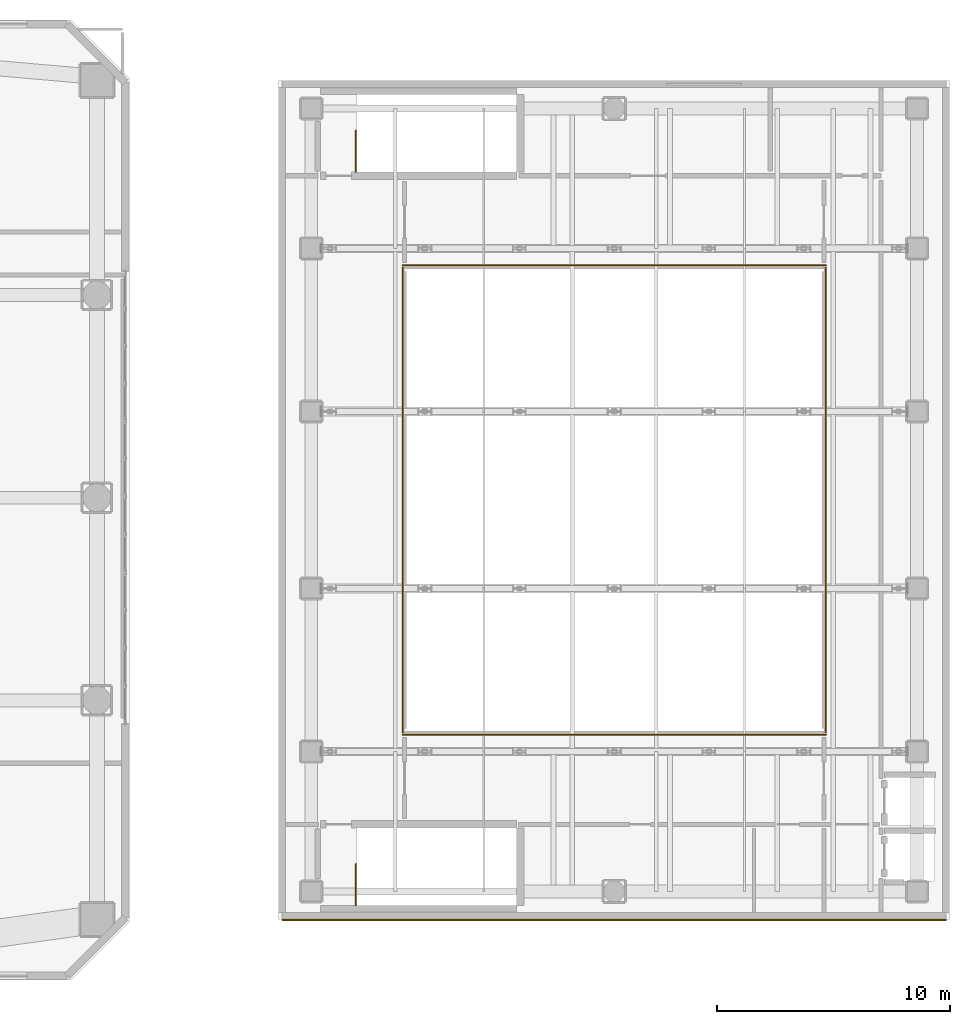
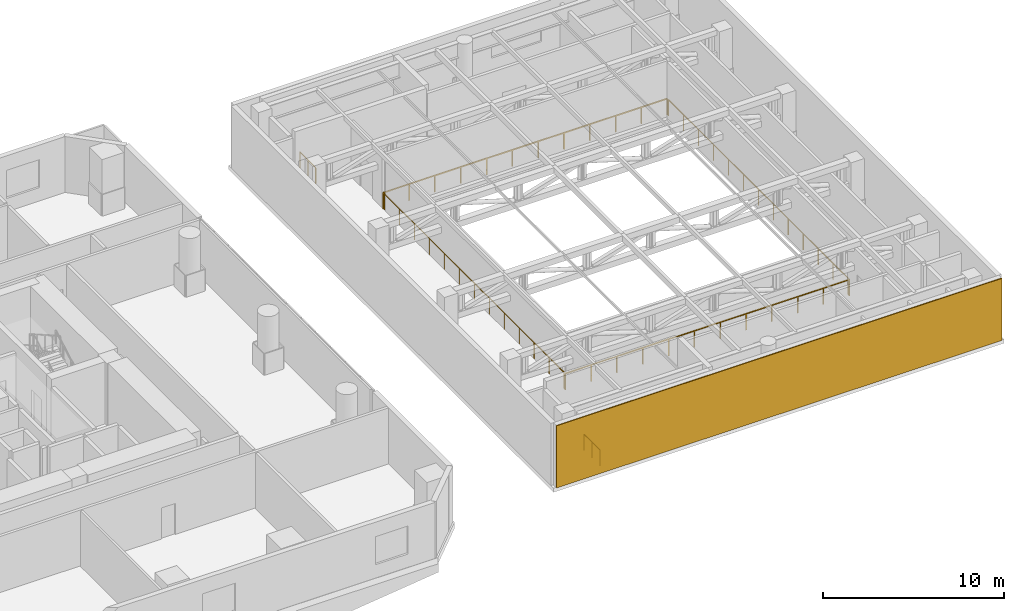
# One storey, part 25 of 25: 6 railings, 1 covering.
"""IFC4 building model written with IfcOpenShell, lengths in metres."""

from ifc_helpers import new_model, si_unit, direction, frame, frame_2d, origin, origin_2d, place, context, subcontext, project, spatial, rectangle, extrude, material, layer, layer_set, type_object, element, save


model = new_model("IFC4")

# Units and contexts
model_context = context("Model", 3, precision=1e-05, world=origin(), true_north=direction((0.0, 1.0)))
body_context = subcontext(model_context, "Body", "Model", "MODEL_VIEW")
ifc_project = project(units=[si_unit("LENGTHUNIT", "METRE"), si_unit("AREAUNIT", "SQUARE_METRE"), si_unit("VOLUMEUNIT", "CUBIC_METRE"), si_unit("PLANEANGLEUNIT", "RADIAN"), si_unit("MASSUNIT", "GRAM", prefix="KILO")], contexts=[model_context])

# Site, building, storey
site_placement = place(None, origin())
site = spatial("IfcSite", under=ifc_project, at=site_placement, CompositionType="ELEMENT")
building_placement = place(site_placement, origin())
building = spatial("IfcBuilding", under=site, at=building_placement, Name="Solanera Arch Residences", CompositionType="ELEMENT")
storey_placement = place(building_placement, frame((0.0, 0.0, 17.800048828125)))
storey = spatial("IfcBuildingStorey", under=building, at=storey_placement, Name="L04", CompositionType="ELEMENT", Elevation=17.800048828125)

# Railings
ifc_material_1 = material(Name="Steel S355 (ASTM A992 / A572 Grade 50)", Category="steel")
railing_type_1 = type_object("IfcRailingType", Name="Balustrade Railing BL-1100", PredefinedType="BALUSTRADE", material=ifc_material_1)
railing_1_placement = place(storey_placement, frame((59.719970703125, 20.52001953125, 0.0)))
element("IfcRailing", 1, at=railing_1_placement, inside=storey, type_object=railing_type_1, Name="L04 Sports Hall Court Void Guardrail S 1", PredefinedType="BALUSTRADE", context=body_context, shape_type="SweptSolid", body=[
    extrude(rectangle(XDim=0.048095703125, YDim=0.048095703125, at=origin_2d()), frame((0.0, 0.0, 1.09619140625), z_axis=(1.0, 0.0, 0.0), x_axis=(0.0, 1.0, 0.0)), (0.0, 0.0, 1.0), 18.159912109375),
    extrude(rectangle(XDim=0.0419921875, YDim=0.0419921875, at=origin_2d()), origin(), (0.0, 0.0, 1.0), 1.072021484375),
    extrude(rectangle(XDim=0.0419921875, YDim=0.0419921875, at=origin_2d()), frame((1.65087890625, 0.0, 0.0)), (0.0, 0.0, 1.0), 1.072021484375),
    extrude(rectangle(XDim=0.0419921875, YDim=0.0419921875, at=origin_2d()), frame((3.3017578125, 0.0, 0.0)), (0.0, 0.0, 1.0), 1.072021484375),
    extrude(rectangle(XDim=0.0419921875, YDim=0.0419921875, at=origin_2d()), frame((4.95263671875, 0.0, 0.0)), (0.0, 0.0, 1.0), 1.072021484375),
    extrude(rectangle(XDim=0.0419921875, YDim=0.0419921875, at=origin_2d()), frame((6.603515625, 0.0, 0.0)), (0.0, 0.0, 1.0), 1.072021484375),
    extrude(rectangle(XDim=0.0419921875, YDim=0.0419921875, at=origin_2d()), frame((8.25439453125, 0.0, 0.0)), (0.0, 0.0, 1.0), 1.072021484375),
    extrude(rectangle(XDim=0.0419921875, YDim=0.0419921875, at=origin_2d()), frame((9.905517578125, 0.0, 0.0)), (0.0, 0.0, 1.0), 1.072021484375),
    extrude(rectangle(XDim=0.0419921875, YDim=0.0419921875, at=origin_2d()), frame((11.556396484375, 0.0, 0.0)), (0.0, 0.0, 1.0), 1.072021484375),
    extrude(rectangle(XDim=0.0419921875, YDim=0.0419921875, at=origin_2d()), frame((13.207275390625, 0.0, 0.0)), (0.0, 0.0, 1.0), 1.072021484375),
    extrude(rectangle(XDim=0.0419921875, YDim=0.0419921875, at=origin_2d()), frame((14.858154296875, 0.0, 0.0)), (0.0, 0.0, 1.0), 1.072021484375),
    extrude(rectangle(XDim=0.0419921875, YDim=0.0419921875, at=origin_2d()), frame((16.509033203125, 0.0, 0.0)), (0.0, 0.0, 1.0), 1.072021484375),
    extrude(rectangle(XDim=0.0419921875, YDim=0.0419921875, at=origin_2d()), frame((18.159912109375, 0.0, 0.0)), (0.0, 0.0, 1.0), 1.072021484375),
])
railing_2_placement = place(storey_placement, frame((77.8798828125, 20.639892578125, 0.0)))
element("IfcRailing", 2, at=railing_2_placement, inside=storey, type_object=railing_type_1, Name="L04 Sports Hall Court Void Guardrail E 1", PredefinedType="BALUSTRADE", context=body_context, shape_type="SweptSolid", body=[
    extrude(rectangle(XDim=0.048095703125, YDim=0.048095703125, at=origin_2d()), frame((0.0, 0.0, 1.09619140625), z_axis=(0.0, 1.0, 0.0), x_axis=(-1.0, 0.0, 0.0)), (0.0, 0.0, 1.0), 19.920166015625),
    extrude(rectangle(XDim=0.0419921875, YDim=0.0419921875, at=origin_2d()), origin(), (0.0, 0.0, 1.0), 1.072021484375),
    extrude(rectangle(XDim=0.0419921875, YDim=0.0419921875, at=origin_2d()), frame((0.0, 1.659912109375, 0.0)), (0.0, 0.0, 1.0), 1.072021484375),
    extrude(rectangle(XDim=0.0419921875, YDim=0.0419921875, at=origin_2d()), frame((0.0, 3.320068359375, 0.0)), (0.0, 0.0, 1.0), 1.072021484375),
    extrude(rectangle(XDim=0.0419921875, YDim=0.0419921875, at=origin_2d()), frame((0.0, 4.97998046875, 0.0)), (0.0, 0.0, 1.0), 1.072021484375),
    extrude(rectangle(XDim=0.0419921875, YDim=0.0419921875, at=origin_2d()), frame((0.0, 6.64013671875, 0.0)), (0.0, 0.0, 1.0), 1.072021484375),
    extrude(rectangle(XDim=0.0419921875, YDim=0.0419921875, at=origin_2d()), frame((0.0, 8.300048828125, 0.0)), (0.0, 0.0, 1.0), 1.072021484375),
    extrude(rectangle(XDim=0.0419921875, YDim=0.0419921875, at=origin_2d()), frame((0.0, 9.9599609375, 0.0)), (0.0, 0.0, 1.0), 1.072021484375),
    extrude(rectangle(XDim=0.0419921875, YDim=0.0419921875, at=origin_2d()), frame((0.0, 11.6201171875, 0.0)), (0.0, 0.0, 1.0), 1.072021484375),
    extrude(rectangle(XDim=0.0419921875, YDim=0.0419921875, at=origin_2d()), frame((0.0, 13.280029296875, 0.0)), (0.0, 0.0, 1.0), 1.072021484375),
    extrude(rectangle(XDim=0.0419921875, YDim=0.0419921875, at=origin_2d()), frame((0.0, 14.940185546875, 0.0)), (0.0, 0.0, 1.0), 1.072021484375),
    extrude(rectangle(XDim=0.0419921875, YDim=0.0419921875, at=origin_2d()), frame((0.0, 16.60009765625, 0.0)), (0.0, 0.0, 1.0), 1.072021484375),
    extrude(rectangle(XDim=0.0419921875, YDim=0.0419921875, at=origin_2d()), frame((0.0, 18.26025390625, 0.0)), (0.0, 0.0, 1.0), 1.072021484375),
    extrude(rectangle(XDim=0.0419921875, YDim=0.0419921875, at=origin_2d()), frame((0.0, 19.920166015625, 0.0)), (0.0, 0.0, 1.0), 1.072021484375),
])
railing_3_placement = place(storey_placement, frame((77.8798828125, 40.679931640625, 0.0)))
element("IfcRailing", 3, at=railing_3_placement, inside=storey, type_object=railing_type_1, Name="L04 Sports Hall Court Void Guardrail N 1", PredefinedType="BALUSTRADE", context=body_context, shape_type="SweptSolid", body=[
    extrude(rectangle(XDim=0.048095703125, YDim=0.048095703125, at=origin_2d()), frame((0.0, 0.0, 1.09619140625), z_axis=(-1.0, 0.0, 0.0), x_axis=(0.0, -1.0, 0.0)), (0.0, 0.0, 1.0), 18.159912109375),
    extrude(rectangle(XDim=0.0419921875, YDim=0.0419921875, at=origin_2d()), origin(), (0.0, 0.0, 1.0), 1.072021484375),
    extrude(rectangle(XDim=0.0419921875, YDim=0.0419921875, at=origin_2d()), frame((-1.65087890625, 0.0, 0.0)), (0.0, 0.0, 1.0), 1.072021484375),
    extrude(rectangle(XDim=0.0419921875, YDim=0.0419921875, at=origin_2d()), frame((-3.3017578125, 0.0, 0.0)), (0.0, 0.0, 1.0), 1.072021484375),
    extrude(rectangle(XDim=0.0419921875, YDim=0.0419921875, at=origin_2d()), frame((-4.95263671875, 0.0, 0.0)), (0.0, 0.0, 1.0), 1.072021484375),
    extrude(rectangle(XDim=0.0419921875, YDim=0.0419921875, at=origin_2d()), frame((-6.603515625, 0.0, 0.0)), (0.0, 0.0, 1.0), 1.072021484375),
    extrude(rectangle(XDim=0.0419921875, YDim=0.0419921875, at=origin_2d()), frame((-8.25439453125, 0.0, 0.0)), (0.0, 0.0, 1.0), 1.072021484375),
    extrude(rectangle(XDim=0.0419921875, YDim=0.0419921875, at=origin_2d()), frame((-9.905517578125, 0.0, 0.0)), (0.0, 0.0, 1.0), 1.072021484375),
    extrude(rectangle(XDim=0.0419921875, YDim=0.0419921875, at=origin_2d()), frame((-11.556396484375, 0.0, 0.0)), (0.0, 0.0, 1.0), 1.072021484375),
    extrude(rectangle(XDim=0.0419921875, YDim=0.0419921875, at=origin_2d()), frame((-13.207275390625, 0.0, 0.0)), (0.0, 0.0, 1.0), 1.072021484375),
    extrude(rectangle(XDim=0.0419921875, YDim=0.0419921875, at=origin_2d()), frame((-14.858154296875, 0.0, 0.0)), (0.0, 0.0, 1.0), 1.072021484375),
    extrude(rectangle(XDim=0.0419921875, YDim=0.0419921875, at=origin_2d()), frame((-16.509033203125, 0.0, 0.0)), (0.0, 0.0, 1.0), 1.072021484375),
    extrude(rectangle(XDim=0.0419921875, YDim=0.0419921875, at=origin_2d()), frame((-18.159912109375, 0.0, 0.0)), (0.0, 0.0, 1.0), 1.072021484375),
])
railing_4_placement = place(storey_placement, frame((59.719970703125, 40.56005859375, 0.0)))
element("IfcRailing", 4, at=railing_4_placement, inside=storey, type_object=railing_type_1, Name="L04 Sports Hall Court Void Guardrail W 1", PredefinedType="BALUSTRADE", context=body_context, shape_type="SweptSolid", body=[
    extrude(rectangle(XDim=0.048095703125, YDim=0.048095703125, at=origin_2d()), frame((0.0, 0.0, 1.09619140625), z_axis=(0.0, -1.0, 0.0), x_axis=(1.0, 0.0, 0.0)), (0.0, 0.0, 1.0), 19.920166015625),
    extrude(rectangle(XDim=0.0419921875, YDim=0.0419921875, at=origin_2d()), origin(), (0.0, 0.0, 1.0), 1.072021484375),
    extrude(rectangle(XDim=0.0419921875, YDim=0.0419921875, at=origin_2d()), frame((0.0, -1.659912109375, 0.0)), (0.0, 0.0, 1.0), 1.072021484375),
    extrude(rectangle(XDim=0.0419921875, YDim=0.0419921875, at=origin_2d()), frame((0.0, -3.320068359375, 0.0)), (0.0, 0.0, 1.0), 1.072021484375),
    extrude(rectangle(XDim=0.0419921875, YDim=0.0419921875, at=origin_2d()), frame((0.0, -4.97998046875, 0.0)), (0.0, 0.0, 1.0), 1.072021484375),
    extrude(rectangle(XDim=0.0419921875, YDim=0.0419921875, at=origin_2d()), frame((0.0, -6.64013671875, 0.0)), (0.0, 0.0, 1.0), 1.072021484375),
    extrude(rectangle(XDim=0.0419921875, YDim=0.0419921875, at=origin_2d()), frame((0.0, -8.300048828125, 0.0)), (0.0, 0.0, 1.0), 1.072021484375),
    extrude(rectangle(XDim=0.0419921875, YDim=0.0419921875, at=origin_2d()), frame((0.0, -9.9599609375, 0.0)), (0.0, 0.0, 1.0), 1.072021484375),
    extrude(rectangle(XDim=0.0419921875, YDim=0.0419921875, at=origin_2d()), frame((0.0, -11.6201171875, 0.0)), (0.0, 0.0, 1.0), 1.072021484375),
    extrude(rectangle(XDim=0.0419921875, YDim=0.0419921875, at=origin_2d()), frame((0.0, -13.280029296875, 0.0)), (0.0, 0.0, 1.0), 1.072021484375),
    extrude(rectangle(XDim=0.0419921875, YDim=0.0419921875, at=origin_2d()), frame((0.0, -14.940185546875, 0.0)), (0.0, 0.0, 1.0), 1.072021484375),
    extrude(rectangle(XDim=0.0419921875, YDim=0.0419921875, at=origin_2d()), frame((0.0, -16.60009765625, 0.0)), (0.0, 0.0, 1.0), 1.072021484375),
    extrude(rectangle(XDim=0.0419921875, YDim=0.0419921875, at=origin_2d()), frame((0.0, -18.26025390625, 0.0)), (0.0, 0.0, 1.0), 1.072021484375),
    extrude(rectangle(XDim=0.0419921875, YDim=0.0419921875, at=origin_2d()), frame((0.0, -19.920166015625, 0.0)), (0.0, 0.0, 1.0), 1.072021484375),
])

# Covering
ifc_material_2 = material(Name="Philippine Adobe Travertine Cladding", Category="masonry")
ifc_layer = layer(ifc_material_2, 0.06005859375)
ifc_layer_set = layer_set([ifc_layer], Name="Philippine Adobe Travertine Cladding")
covering_type = type_object("IfcCoveringType", Name="Precast Pier Stone Cladding CLD-60", PredefinedType="CLADDING", material=ifc_layer_set)
covering_placement = place(storey_placement, frame((83.050048828125, 12.570068359375, 0.0), z_axis=(0.0, 0.0, 1.0), x_axis=(-1.0, 0.0, 0.0)))
element("IfcCovering", 5, at=covering_placement, inside=storey, type_object=covering_type, Name="L04 Sports Hall Travertine Cladding S", PredefinedType="CLADDING", context=body_context, shape_type="SweptSolid", body=[
    extrude(rectangle(XDim=28.5, YDim=0.06005859375, at=frame_2d((14.25, 0.0))), origin(), (0.0, 0.0, 1.0), 4.199951171875),
])

# Railings
ifc_material_3 = material(Name="Steel S355 (ASTM A992 / A572 Grade 50)", Category="steel")
railing_type_2 = type_object("IfcRailingType", Name="Stair Guardrail GR-1100", PredefinedType="GUARDRAIL", material=ifc_material_3)
for number, where, name in (
    (6, (57.7099609375, 13.199951171875, -0.01513671875), "L04 ST-H1 top well guard 1"),
    (7, (57.7099609375, 44.679931640625, -0.01513671875), "L04 ST-H2 top well guard 1"),
):
    element("IfcRailing", number, at=place(storey_placement, frame(where)), inside=storey, type_object=railing_type_2, Name=name, PredefinedType="GUARDRAIL", context=body_context, shape_type="SweptSolid", body=[
        extrude(rectangle(XDim=0.048095703125, YDim=0.048095703125, at=origin_2d()), frame((0.0, 0.0, 1.076171875), z_axis=(0.0, 1.0, 0.0), x_axis=(-1.0, 0.0, 0.0)), (0.0, 0.0, 1.0), 1.760009765625),
        extrude(rectangle(XDim=0.0419921875, YDim=0.0419921875, at=origin_2d()), origin(), (0.0, 0.0, 1.0), 1.052001953125),
        extrude(rectangle(XDim=0.0419921875, YDim=0.0419921875, at=origin_2d()), frame((0.0, 0.8798828125, 0.0)), (0.0, 0.0, 1.0), 1.052001953125),
        extrude(rectangle(XDim=0.0419921875, YDim=0.0419921875, at=origin_2d()), frame((0.0, 1.760009765625, 0.0)), (0.0, 0.0, 1.0), 1.052001953125),
    ])

save(model, "model.ifc")
